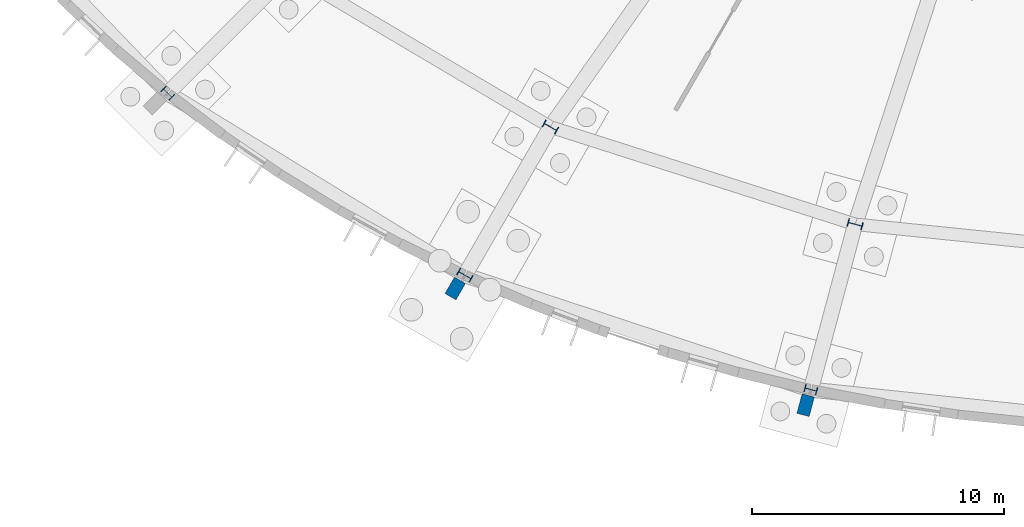
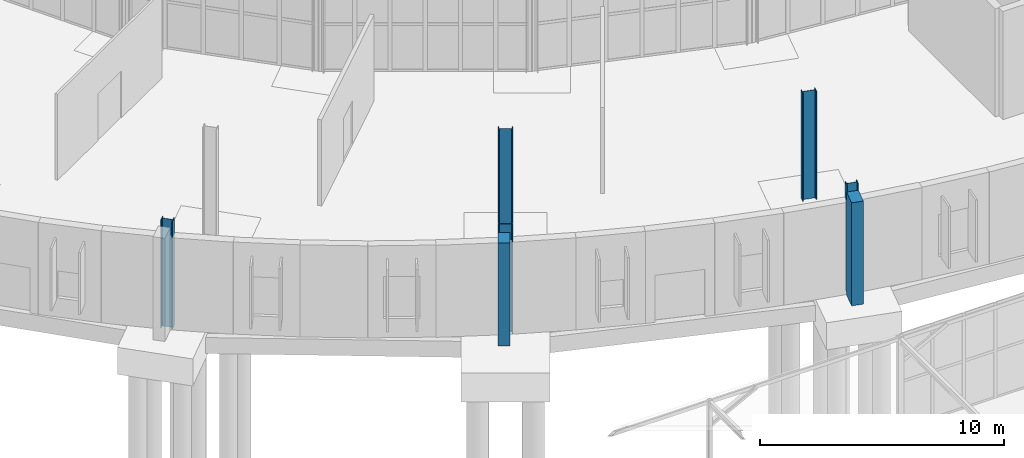
# One storey, part 21 of 118: 7 columns.
"""IFC4 building model written with IfcOpenShell, lengths in metres."""

import ifcopenshell
import ifcopenshell.guid

model = None  # the IFC model being written
_history = None  # IfcOwnerHistory: only IFC2X3 demands one
_inside = {}  # id of a spatial element -> (the spatial element, [elements in it])
_under = {}  # id of a project, library or spatial element -> (it, [spatial elements below it])
_declared = {}  # id of a project -> (the project, [libraries it declares])
_typed = {}  # id of a type object -> (the type object, [elements of that type])
_made_of = {}  # id of a material, layer set ... -> (it, [elements and type objects made of it])


def new_model(schema):
    """Start an empty IFC model of exactly this schema.

    Asked for "IFC4X3", IfcOpenShell would pick the latest addendum, in which some entities
    have other attributes; the version numbers below select the first issue.
    IFC2X3 requires an IfcOwnerHistory on every rooted entity: one is made here for all.
    """
    global model, _history
    if schema == "IFC4X3":
        model = ifcopenshell.file(schema_version=(4, 3, 0, 0))
    else:
        model = ifcopenshell.file(schema=schema)
    _inside.clear()
    _under.clear()
    _declared.clear()
    _typed.clear()
    _made_of.clear()
    _history = None
    if model.schema == "IFC2X3":
        org = make("IfcOrganization", Name="unknown")
        user = make(
            "IfcPersonAndOrganization",
            ThePerson=make("IfcPerson", FamilyName="unknown"),
            TheOrganization=org,
        )
        app = make(
            "IfcApplication",
            ApplicationDeveloper=org,
            Version="unknown",
            ApplicationFullName="unknown",
            ApplicationIdentifier="unknown",
        )
        _history = make(
            "IfcOwnerHistory",
            OwningUser=user,
            OwningApplication=app,
            ChangeAction="ADDED",
            CreationDate=0,
        )
    return model


def make(cls, **values):
    """One entity of the class cls with the attributes given. An attribute that is None is left unset."""
    return model.create_entity(
        cls, **{name: value for name, value in values.items() if value is not None}
    )


def rooted(cls, **values):
    """An entity with a GlobalId (a new one), such as an element, a storey or a relation."""
    return make(cls, GlobalId=ifcopenshell.guid.new(), OwnerHistory=_history, **values)


def si_unit(unit_type, name, prefix=None):
    """IfcSIUnit, for example si_unit("LENGTHUNIT", "METRE", prefix="MILLI")."""
    return make("IfcSIUnit", UnitType=unit_type, Prefix=prefix, Name=name)


def assignment(units):
    """IfcUnitAssignment: the units of a project."""
    return None if units is None else make("IfcUnitAssignment", Units=units)


def point(xyz):
    """IfcCartesianPoint."""
    return None if xyz is None else make("IfcCartesianPoint", Coordinates=xyz)


def direction(xyz):
    """IfcDirection."""
    return None if xyz is None else make("IfcDirection", DirectionRatios=xyz)


def frame(location, z_axis=None, x_axis=None):
    """IfcAxis2Placement3D, a coordinate frame: its origin and axes. An axis left out is left unset."""
    return make(
        "IfcAxis2Placement3D",
        Location=point(location),
        Axis=direction(z_axis),
        RefDirection=direction(x_axis),
    )


def frame_2d(location, x_axis=None):
    """IfcAxis2Placement2D, a coordinate frame in the plane: its origin and x axis."""
    return make(
        "IfcAxis2Placement2D", Location=point(location), RefDirection=direction(x_axis)
    )


def origin():
    """The frame at (0, 0, 0) with its axes left unset."""
    return frame((0.0, 0.0, 0.0))


def origin_2d():
    """The frame at (0, 0) in the plane with its x axis left unset."""
    return frame_2d((0.0, 0.0))


def place(relative_to, where):
    """IfcLocalPlacement: puts the frame where relative to a parent placement (None: the world)."""
    return make(
        "IfcLocalPlacement", PlacementRelTo=relative_to, RelativePlacement=where
    )


def context(
    kind, dimensions, precision=None, world=None, true_north=None, identifier=None
):
    """IfcGeometricRepresentationContext, for example the 3D "Model" context."""
    return make(
        "IfcGeometricRepresentationContext",
        ContextIdentifier=identifier,
        ContextType=kind,
        CoordinateSpaceDimension=dimensions,
        Precision=precision,
        WorldCoordinateSystem=world,
        TrueNorth=true_north,
    )


def subcontext(parent, identifier, kind, view, scale=None):
    """IfcGeometricRepresentationSubContext, for example "Body" below "Model"."""
    return make(
        "IfcGeometricRepresentationSubContext",
        ContextIdentifier=identifier,
        ContextType=kind,
        ParentContext=parent,
        TargetScale=scale,
        TargetView=view,
    )


def project(units=None, contexts=None):
    """IfcProject with its units and contexts."""
    return rooted(
        "IfcProject",
        Name="project",
        RepresentationContexts=contexts,
        UnitsInContext=assignment(units),
    )


def spatial(cls, under=None, at=None, **own):
    """A site, building, storey or space (cls), placed at a placement, below another one or the project."""
    s = rooted(cls, ObjectPlacement=at, **own)
    if under is not None:
        _under.setdefault(under.id(), (under, []))[1].append(s)
    return s


def profile(cls, at=None, kind="AREA", **sizes):
    """A parametric profile (cls). Its sizes go by their IFC names, for example OverallWidth=200.0."""
    return make(cls, ProfileType=kind, Position=at, **sizes)


def rectangle(**sizes):
    """IfcRectangleProfileDef."""
    return profile("IfcRectangleProfileDef", **sizes)


def i_section(**sizes):
    """IfcIShapeProfileDef."""
    return profile("IfcIShapeProfileDef", **sizes)


def extrude(swept, where, along, depth):
    """IfcExtrudedAreaSolid: the profile swept, set in the frame where, extruded along a direction by depth."""
    return make(
        "IfcExtrudedAreaSolid",
        SweptArea=swept,
        Position=where,
        ExtrudedDirection=direction(along),
        Depth=depth,
    )


def shape(context_of_items, identifier, shape_type, items):
    """IfcShapeRepresentation: the items that make up one representation, for example the "Body"."""
    return make(
        "IfcShapeRepresentation",
        ContextOfItems=context_of_items,
        RepresentationIdentifier=identifier,
        RepresentationType=shape_type,
        Items=items,
    )


def material(Name=None, Category=None):
    """IfcMaterial."""
    return make("IfcMaterial", Name=Name, Category=Category)


def material_profile(
    of_material, cross_section, Name=None, Category=None, Priority=None
):
    """IfcMaterialProfile: a cross section and its material."""
    return make(
        "IfcMaterialProfile",
        Name=Name,
        Material=of_material,
        Profile=cross_section,
        Priority=Priority,
        Category=Category,
    )


def profile_set(profiles, Name=None, composite=None):
    """IfcMaterialProfileSet."""
    return make(
        "IfcMaterialProfileSet",
        Name=Name,
        MaterialProfiles=profiles,
        CompositeProfile=composite,
    )


def made_of(thing, what):
    """Note that an element or type object is made of a material, layer set ...; save() writes the relation."""
    if what is not None:
        _made_of.setdefault(what.id(), (what, []))[1].append(thing)
    return thing


def type_object(cls, material=None, **own):
    """A type object (cls), such as IfcWallType, which elements share."""
    return made_of(rooted(cls, **own), material)


def element(
    cls,
    number,
    at=None,
    inside=None,
    cuts=None,
    type_object=None,
    material=None,
    context=None,
    identifier="Body",
    shape_type=None,
    held_by="IfcProductDefinitionShape",
    body=None,
    shapes=None,
    **own,
):
    """One element of the class cls, such as IfcWall. Its Tag is "e" and its number.

    at: its placement. inside: the storey or other place that contains it. cuts: it is an
    opening in that element (IfcRelVoidsElement). A single representation is given by context,
    identifier, shape_type and body (its items); several are given by shapes. held_by: the class
    of the entity that holds the representations. save() writes the other relations.
    """
    e = rooted(cls, Tag="e%d" % number, ObjectPlacement=at, **own)
    if body is not None:
        shapes = [shape(context, identifier, shape_type, body)]
    if shapes is not None:
        e.Representation = make(held_by, Representations=shapes)
    if inside is not None:
        _inside.setdefault(inside.id(), (inside, []))[1].append(e)
    if cuts is not None:
        rooted(
            "IfcRelVoidsElement", RelatingBuildingElement=cuts, RelatedOpeningElement=e
        )
    if type_object is not None:
        _typed.setdefault(type_object.id(), (type_object, []))[1].append(e)
    return made_of(e, material)


def aggregate(whole, parts):
    """IfcRelAggregates: a whole, such as a stair, and the parts it consists of."""
    return rooted("IfcRelAggregates", RelatingObject=whole, RelatedObjects=parts)


def save(model, path):
    """Write the relations noted so far, then the file.

    IfcRelAggregates (storeys below a building ...), IfcRelContainedInSpatialStructure (elements
    in a storey), IfcRelDefinesByType, IfcRelAssociatesMaterial and IfcRelDeclares: one each for
    every whole, place, type object, material and project.
    """
    for whole, parts in _under.values():
        aggregate(whole, parts)
    for where, things in _inside.values():
        rooted(
            "IfcRelContainedInSpatialStructure",
            RelatedElements=things,
            RelatingStructure=where,
        )
    for kind, things in _typed.values():
        rooted("IfcRelDefinesByType", RelatedObjects=things, RelatingType=kind)
    for what, things in _made_of.values():
        rooted("IfcRelAssociatesMaterial", RelatedObjects=things, RelatingMaterial=what)
    for by, libraries in _declared.values():
        rooted("IfcRelDeclares", RelatingContext=by, RelatedDefinitions=libraries)
    model.write(path)


model = new_model("IFC4")

# Units and contexts
model_context = context("Model", 3, precision=1e-05, world=origin(), true_north=direction((0.0, 1.0)))
body_context = subcontext(model_context, "Body", "Model", "MODEL_VIEW")
ifc_project = project(units=[si_unit("LENGTHUNIT", "METRE"), si_unit("AREAUNIT", "SQUARE_METRE"), si_unit("VOLUMEUNIT", "CUBIC_METRE"), si_unit("PLANEANGLEUNIT", "RADIAN"), si_unit("MASSUNIT", "GRAM", prefix="KILO")], contexts=[model_context])

# Site, building, storey
site_placement = place(None, origin())
site = spatial("IfcSite", under=ifc_project, at=site_placement, CompositionType="ELEMENT")
building_placement = place(site_placement, origin())
building = spatial("IfcBuilding", under=site, at=building_placement, Name="Kildeholm Park Wholesale Market", CompositionType="ELEMENT")
storey_placement = place(building_placement, origin())
storey = spatial("IfcBuildingStorey", under=building, at=storey_placement, Name="L00", CompositionType="ELEMENT", Elevation=0.0)

# Columns
ifc_material_1 = material(Name="Steel S355", Category="steel")
ifc_material_profile_1 = material_profile(ifc_material_1, i_section(OverallWidth=0.300048828125, OverallDepth=0.5, WebThickness=0.014404296875, FlangeThickness=0.028076171875, FilletRadius=0.027099609375, at=origin_2d()), Name="HEB 500")
ifc_profile_set_1 = profile_set([ifc_material_profile_1], Name="Steel S355")
column_type_1 = type_object("IfcColumnType", Name="Column C-S07 HEB 500", PredefinedType="COLUMN", material=ifc_profile_set_1)
for number, where, z_axis, x_axis, name in (
    (1, (58.695068359375, 57.326904296875, 0.0), (0.0, 0.0, 1.0), (-0.707106781187, -0.707106781187, 0.0), "Column V1-OT-15 L00 COL-0142"),
    (2, (84.2470703125, 45.550048828125, 0.0), (0.0, 0.0, 1.0), (-0.258819045103, -0.965925826289, 0.0), "Column V1-OT-17 L00 COL-0160"),
):
    element("IfcColumn", number, at=place(storey_placement, frame(where, z_axis=z_axis, x_axis=x_axis)), inside=storey, type_object=column_type_1, Name=name, PredefinedType="COLUMN", context=body_context, shape_type="SweptSolid", body=[
        extrude(i_section(OverallWidth=0.300048828125, OverallDepth=0.5, WebThickness=0.014404296875, FlangeThickness=0.028076171875, FilletRadius=0.027099609375, at=origin_2d()), origin(), (0.0, 0.0, 1.0), 5.39990234375),
    ])
ifc_material_profile_2 = material_profile(ifc_material_1, i_section(OverallWidth=0.300048828125, OverallDepth=0.60009765625, WebThickness=0.015380859375, FlangeThickness=0.030029296875, FilletRadius=0.027099609375, at=origin_2d()), Name="HEB 600")
ifc_profile_set_2 = profile_set([ifc_material_profile_2], Name="Steel S355")
column_type_2 = type_object("IfcColumnType", Name="Column C-S08 HEB 600", PredefinedType="COLUMN", material=ifc_profile_set_2)
for number, where, z_axis, x_axis, name in (
    (3, (73.89990234375, 55.985107421875, 0.0), (0.0, 0.0, 1.0), (-0.5, -0.866025403784, 0.0), "Column V1-MD-16 L00 COL-0148"),
    (4, (70.5, 50.095947265625, 0.0), (0.0, 0.0, 1.0), (-0.5, -0.866025403784, 0.0), "Column V1-OT-16 L00 COL-0151"),
    (5, (86.007080078125, 52.118896484375, 0.0), (0.0, 0.0, 1.0), (-0.258819045103, -0.965925826289, 0.0), "Column V1-MD-17 L00 COL-0157"),
):
    element("IfcColumn", number, at=place(storey_placement, frame(where, z_axis=z_axis, x_axis=x_axis)), inside=storey, type_object=column_type_2, Name=name, PredefinedType="COLUMN", context=body_context, shape_type="SweptSolid", body=[
        extrude(i_section(OverallWidth=0.300048828125, OverallDepth=0.60009765625, WebThickness=0.015380859375, FlangeThickness=0.030029296875, FilletRadius=0.027099609375, at=origin_2d()), origin(), (0.0, 0.0, 1.0), 5.39990234375),
    ])
ifc_material_2 = material(Name="Precast concrete C40/50", Category="concrete")
ifc_material_profile_3 = material_profile(ifc_material_2, rectangle(XDim=0.800048828125, YDim=0.5, at=origin_2d()), Name="PIL 800x500")
ifc_profile_set_3 = profile_set([ifc_material_profile_3], Name="Precast concrete C40/50")
column_type_3 = type_object("IfcColumnType", Name="Column PL-M01 PIL 800x500", PredefinedType="PILASTER", material=ifc_profile_set_3)
column_1_placement = place(storey_placement, frame((84.0400390625, 44.93408203125, 0.0), z_axis=(0.0, 0.0, 1.0), x_axis=(-0.258819045103, -0.965925826289, 0.0)))
element("IfcColumn", 6, at=column_1_placement, inside=storey, type_object=column_type_3, Name="Market ring pilaster 18 COL-0162", PredefinedType="PILASTER", context=body_context, shape_type="SweptSolid", body=[
    extrude(rectangle(XDim=0.800048828125, YDim=0.5, at=origin_2d()), origin(), (0.0, 0.0, 1.0), 5.14990234375),
])
ifc_material_profile_4 = material_profile(ifc_material_2, rectangle(XDim=0.75, YDim=0.5, at=origin_2d()), Name="PIL 750x500")
ifc_profile_set_4 = profile_set([ifc_material_profile_4], Name="Precast concrete C40/50")
column_type_4 = type_object("IfcColumnType", Name="Column PL-M02 PIL 750x500", PredefinedType="PILASTER", material=ifc_profile_set_4)
column_2_placement = place(storey_placement, frame((70.118896484375, 49.569091796875, 0.0), z_axis=(0.0, 0.0, 1.0), x_axis=(-0.5, -0.866025403784, 0.0)))
element("IfcColumn", 7, at=column_2_placement, inside=storey, type_object=column_type_4, Name="Market ring pilaster 17 COL-0153", PredefinedType="PILASTER", context=body_context, shape_type="SweptSolid", body=[
    extrude(rectangle(XDim=0.75, YDim=0.5, at=origin_2d()), origin(), (0.0, 0.0, 1.0), 5.14990234375),
])

save(model, "model.ifc")
